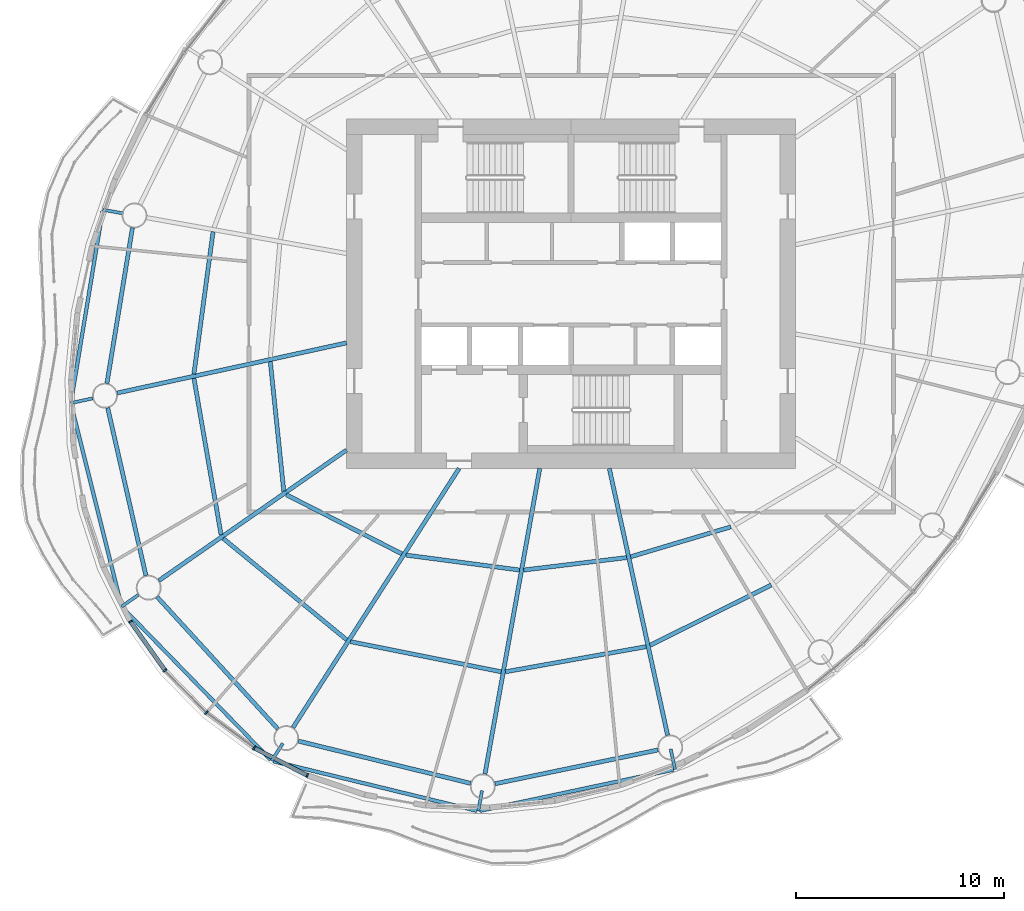
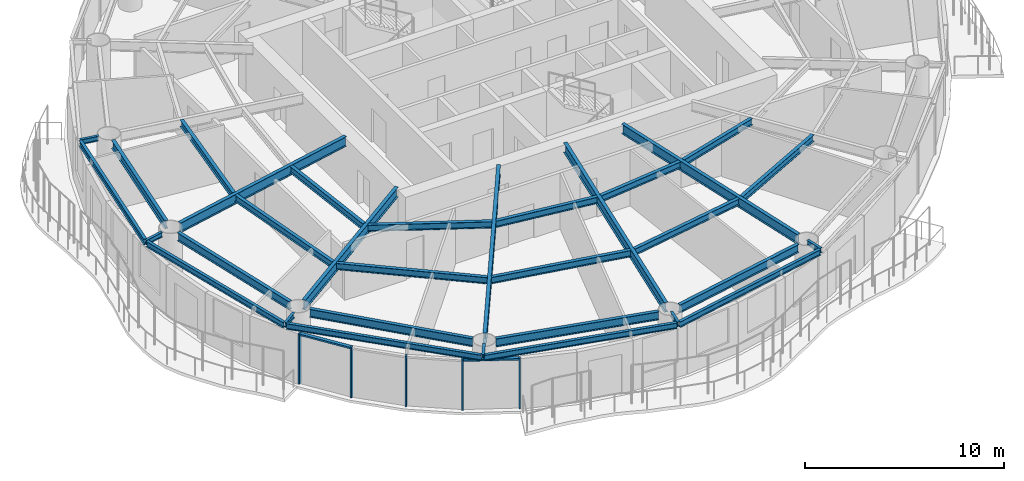
# One storey, part 2 of 14: 32 beams, 7 members, 4 elements without a shape of their own.
"""IFC4 building model written with IfcOpenShell, lengths in metres."""

from ifc_helpers import new_model, si_unit, direction, frame, origin, origin_2d, place, context, subcontext, project, spatial, rectangle, i_section, extrude, material, material_profile, profile_set, type_object, element, aggregate, save


model = new_model("IFC4")

# Units and contexts
model_context = context("Model", 3, precision=1e-05, world=origin(), true_north=direction((0.0, 1.0)))
body_context = subcontext(model_context, "Body", "Model", "MODEL_VIEW")
ifc_project = project(units=[si_unit("LENGTHUNIT", "METRE"), si_unit("AREAUNIT", "SQUARE_METRE"), si_unit("VOLUMEUNIT", "CUBIC_METRE"), si_unit("PLANEANGLEUNIT", "RADIAN"), si_unit("MASSUNIT", "GRAM", prefix="KILO")], contexts=[model_context])

# Site, building, storey
site_placement = place(None, origin())
site = spatial("IfcSite", under=ifc_project, at=site_placement, CompositionType="ELEMENT")
building_placement = place(site_placement, origin())
building = spatial("IfcBuilding", under=site, at=building_placement, Name="Vermilion Reach Broadcast Tower", CompositionType="ELEMENT")
storey_placement = place(building_placement, frame((0.0, 0.0, 228.10009765625)))
storey = spatial("IfcBuildingStorey", under=building, at=storey_placement, Name="L56", CompositionType="ELEMENT", Elevation=228.10009765625)

# Beams
ifc_material_1 = material(Name="Steel S355J2", Category="steel")
ifc_material_profile_1 = material_profile(ifc_material_1, i_section(OverallWidth=0.175048828125, OverallDepth=0.35009765625, WebThickness=0.007080078125, FlangeThickness=0.010986328125, at=origin_2d()), Name="S355J2 HN 350x175x7x11")
ifc_profile_set_1 = profile_set([ifc_material_profile_1], Name="Steel S355J2")
beam_type_1 = type_object("IfcBeamType", Name="EB4 HN 350x175x7x11", PredefinedType="BEAM", material=ifc_profile_set_1)
beam_1_placement = place(storey_placement, frame((-28.536376953125, 3.966552734375, 3.27490234375), z_axis=(-0.163365532595, -0.986565609962, 0.0), x_axis=(0.986565609962, -0.163365532595, 0.0)))
element("IfcBeam", 1, at=beam_1_placement, inside=storey, type_object=beam_type_1, Name="Edge beam EB4-06", PredefinedType="BEAM", context=body_context, shape_type="SweptSolid", body=[
    extrude(i_section(OverallWidth=0.175048828125, OverallDepth=0.35009765625, WebThickness=0.007080078125, FlangeThickness=0.010986328125, at=origin_2d()), origin(), (0.0, 0.0, 1.0), 9.271484375),
])
beam_2_placement = place(storey_placement, frame((-30.0458984375, -5.332763671875, 3.27490234375), z_axis=(0.24218848955, -0.970229218035, 0.0), x_axis=(0.970229218035, 0.24218848955, 0.0)))
element("IfcBeam", 2, at=beam_2_placement, inside=storey, type_object=beam_type_1, Name="Edge beam EB4-07", PredefinedType="BEAM", context=body_context, shape_type="SweptSolid", body=[
    extrude(i_section(OverallWidth=0.175048828125, OverallDepth=0.35009765625, WebThickness=0.007080078125, FlangeThickness=0.010986328125, at=origin_2d()), origin(), (0.0, 0.0, 1.0), 9.929443359375),
])
beam_3_placement = place(storey_placement, frame((-27.56884765625, -15.098876953125, 3.27490234375), z_axis=(0.697210688618, -0.716866274613, 0.0), x_axis=(0.716866274613, 0.697210688618, 0.0)))
element("IfcBeam", 3, at=beam_3_placement, inside=storey, type_object=beam_type_1, Name="Edge beam EB4-08", PredefinedType="BEAM", context=body_context, shape_type="SweptSolid", body=[
    extrude(i_section(OverallWidth=0.175048828125, OverallDepth=0.35009765625, WebThickness=0.007080078125, FlangeThickness=0.010986328125, at=origin_2d()), origin(), (0.0, 0.0, 1.0), 10.197509765625),
])
beam_4_placement = place(storey_placement, frame((-20.328125, -22.483154296875, 3.27490234375), z_axis=(0.971630147479, -0.236505510527, 0.0), x_axis=(0.236505510527, 0.971630147479, 0.0)))
element("IfcBeam", 4, at=beam_4_placement, inside=storey, type_object=beam_type_1, Name="Edge beam EB4-09", PredefinedType="BEAM", context=body_context, shape_type="SweptSolid", body=[
    extrude(i_section(OverallWidth=0.175048828125, OverallDepth=0.35009765625, WebThickness=0.007080078125, FlangeThickness=0.010986328125, at=origin_2d()), origin(), (0.0, 0.0, 1.0), 10.0771484375),
])
beam_5_placement = place(storey_placement, frame((-10.384765625, -24.867431640625, 3.27490234375), z_axis=(0.978155330869, 0.207875320066, 0.0), x_axis=(-0.207875320066, 0.978155330869, 0.0)))
element("IfcBeam", 5, at=beam_5_placement, inside=storey, type_object=beam_type_1, Name="Edge beam EB4-10", PredefinedType="BEAM", context=body_context, shape_type="SweptSolid", body=[
    extrude(i_section(OverallWidth=0.175048828125, OverallDepth=0.35009765625, WebThickness=0.007080078125, FlangeThickness=0.010986328125, at=origin_2d()), origin(), (0.0, 0.0, 1.0), 9.51904296875),
])
ifc_material_2 = material(Name="Steel S355J2", Category="steel")
ifc_material_profile_2 = material_profile(ifc_material_2, i_section(OverallWidth=0.199951171875, OverallDepth=0.60009765625, WebThickness=0.010986328125, FlangeThickness=0.01708984375, at=origin_2d()), Name="S355J2 HN 600x200x11x17")
ifc_profile_set_2 = profile_set([ifc_material_profile_2], Name="Steel S355J2")
beam_type_2 = type_object("IfcBeamType", Name="G4 HN 600x200x11x17", PredefinedType="BEAM", material=ifc_profile_set_2)
beam_6_placement = place(storey_placement, frame((-16.800048828125, -2.360595703125, 3.14990234375), z_axis=(-0.976930175286, -0.213558967537, 0.0), x_axis=(0.213558967537, -0.976930175286, 0.0)))
element("IfcBeam", 6, at=beam_6_placement, inside=storey, type_object=beam_type_2, Name="Girder G4-07", PredefinedType="BEAM", context=body_context, shape_type="SweptSolid", body=[
    extrude(i_section(OverallWidth=0.199951171875, OverallDepth=0.60009765625, WebThickness=0.010986328125, FlangeThickness=0.01708984375, at=origin_2d()), origin(), (0.0, 0.0, 1.0), 11.29833984375),
])
beam_7_placement = place(storey_placement, frame((-16.800048828125, -7.5146484375, 3.14990234375), z_axis=(-0.820848627818, -0.571145804684, 0.0), x_axis=(0.571145804684, -0.820848627818, 0.0)))
element("IfcBeam", 7, at=beam_7_placement, inside=storey, type_object=beam_type_2, Name="Girder G4-08", PredefinedType="BEAM", context=body_context, shape_type="SweptSolid", body=[
    extrude(i_section(OverallWidth=0.199951171875, OverallDepth=0.60009765625, WebThickness=0.010986328125, FlangeThickness=0.01708984375, at=origin_2d()), origin(), (0.0, 0.0, 1.0), 10.99560546875),
])
beam_8_placement = place(storey_placement, frame((-11.386474609375, -8.39990234375, 3.14990234375), z_axis=(-0.539796447586, -0.84179557802, 0.0), x_axis=(0.84179557802, -0.539796447586, 0.0)))
element("IfcBeam", 8, at=beam_8_placement, inside=storey, type_object=beam_type_2, Name="Girder G4-09", PredefinedType="BEAM", context=body_context, shape_type="SweptSolid", body=[
    extrude(i_section(OverallWidth=0.199951171875, OverallDepth=0.60009765625, WebThickness=0.010986328125, FlangeThickness=0.01708984375, at=origin_2d()), origin(), (0.0, 0.0, 1.0), 14.8076171875),
])
beam_9_placement = place(storey_placement, frame((-7.5068359375, -8.39990234375, 3.14990234375), z_axis=(-0.176574729047, -0.984287237072, 0.0), x_axis=(0.984287237072, -0.176574729047, 0.0)))
element("IfcBeam", 9, at=beam_9_placement, inside=storey, type_object=beam_type_2, Name="Girder G4-10", PredefinedType="BEAM", context=body_context, shape_type="SweptSolid", body=[
    extrude(i_section(OverallWidth=0.199951171875, OverallDepth=0.60009765625, WebThickness=0.010986328125, FlangeThickness=0.01708984375, at=origin_2d()), origin(), (0.0, 0.0, 1.0), 14.935302734375),
])
beam_10_placement = place(storey_placement, frame((-4.163818359375, -8.39990234375, 3.14990234375), z_axis=(0.213538346548, -0.976934682849, 0.0), x_axis=(0.976934682849, 0.213538346548, 0.0)))
element("IfcBeam", 10, at=beam_10_placement, inside=storey, type_object=beam_type_2, Name="Girder G4-11", PredefinedType="BEAM", context=body_context, shape_type="SweptSolid", body=[
    extrude(i_section(OverallWidth=0.199951171875, OverallDepth=0.60009765625, WebThickness=0.010986328125, FlangeThickness=0.01708984375, at=origin_2d()), origin(), (0.0, 0.0, 1.0), 13.135498046875),
])
ifc_material_3 = material(Name="Steel S355J2", Category="steel")
ifc_material_profile_3 = material_profile(ifc_material_3, i_section(OverallWidth=0.14990234375, OverallDepth=0.300048828125, WebThickness=0.006591796875, FlangeThickness=0.009033203125, at=origin_2d()), Name="S355J2 HN 300x150x6.5x9")
ifc_profile_set_3 = profile_set([ifc_material_profile_3], Name="Steel S355J2")
beam_type_3 = type_object("IfcBeamType", Name="GS4 HN 300x150x6.5x9", PredefinedType="BEAM", material=ifc_profile_set_3)
beam_11_placement = place(storey_placement, frame((-27.5400390625, 3.864013671875, 3.2998046875), z_axis=(-0.984292973606, 0.176542748677, 0.0), x_axis=(-0.176542748677, -0.984292973606, 0.0)))
element("IfcBeam", 11, at=beam_11_placement, inside=storey, type_object=beam_type_3, Name="Cantilever stub GS4-06", PredefinedType="BEAM", context=body_context, shape_type="SweptSolid", body=[
    extrude(i_section(OverallWidth=0.14990234375, OverallDepth=0.300048828125, WebThickness=0.006591796875, FlangeThickness=0.009033203125, at=origin_2d()), origin(), (0.0, 0.0, 1.0), 0.999755859375),
])
beam_12_placement = place(storey_placement, frame((-29.009765625, -5.029541015625, 3.2998046875), z_axis=(-0.976936893942, -0.213528230581, 0.0), x_axis=(0.213528230581, -0.976936893942, 0.0)))
element("IfcBeam", 12, at=beam_12_placement, inside=storey, type_object=beam_type_3, Name="Cantilever stub GS4-07", PredefinedType="BEAM", context=body_context, shape_type="SweptSolid", body=[
    extrude(i_section(OverallWidth=0.14990234375, OverallDepth=0.300048828125, WebThickness=0.006591796875, FlangeThickness=0.009033203125, at=origin_2d()), origin(), (0.0, 0.0, 1.0), 1.079345703125),
])
for number, where, z_axis, x_axis, name in (
    (13, (-26.801025390625, -14.47314453125, 3.2998046875), (-0.820765852073, -0.571264751294, 0.0), (0.571264751294, -0.820765852073, 0.0), "Cantilever stub GS4-08"),
    (14, (-19.865478515625, -21.62255859375, 3.2998046875), (-0.539794777091, -0.841796649213, 0.0), (0.841796649213, -0.539794777091, 0.0), "Cantilever stub GS4-09"),
    (15, (-10.287353515625, -23.89990234375, 3.2998046875), (-0.176500327456, -0.984300581331, 0.0), (0.984300581331, -0.176500327456, 0.0), "Cantilever stub GS4-10"),
):
    element("IfcBeam", number, at=place(storey_placement, frame(where, z_axis=z_axis, x_axis=x_axis)), inside=storey, type_object=beam_type_3, Name=name, PredefinedType="BEAM", context=body_context, shape_type="SweptSolid", body=[
        extrude(i_section(OverallWidth=0.14990234375, OverallDepth=0.300048828125, WebThickness=0.006591796875, FlangeThickness=0.009033203125, at=origin_2d()), origin(), (0.0, 0.0, 1.0), 1.0),
    ])
beam_13_placement = place(storey_placement, frame((-1.2138671875, -21.89599609375, 3.2998046875), z_axis=(0.213594957215, -0.976922307173, 0.0), x_axis=(0.976922307173, 0.213594957215, 0.0)))
element("IfcBeam", 16, at=beam_13_placement, inside=storey, type_object=beam_type_3, Name="Cantilever stub GS4-11", PredefinedType="BEAM", context=body_context, shape_type="SweptSolid", body=[
    extrude(i_section(OverallWidth=0.14990234375, OverallDepth=0.300048828125, WebThickness=0.006591796875, FlangeThickness=0.009033203125, at=origin_2d()), origin(), (0.0, 0.0, 1.0), 1.000244140625),
])
ifc_material_4 = material(Name="Steel S355J2", Category="steel")
ifc_material_profile_4 = material_profile(ifc_material_4, i_section(OverallWidth=0.199951171875, OverallDepth=0.5, WebThickness=0.010009765625, FlangeThickness=0.01611328125, at=origin_2d()), Name="S355J2 HN 500x200x10x16")
ifc_profile_set_4 = profile_set([ifc_material_profile_4], Name="Steel S355J2")
beam_type_4 = type_object("IfcBeamType", Name="RB4 HN 500x200x10x16", PredefinedType="BEAM", material=ifc_profile_set_4)
beam_14_placement = place(storey_placement, frame((-27.099609375, 3.175537109375, 3.199951171875), z_axis=(-0.161778110263, -0.986827159659, 0.0), x_axis=(0.986827159659, -0.161778110263, 0.0)))
element("IfcBeam", 17, at=beam_14_placement, inside=storey, type_object=beam_type_4, Name="Ring beam RB4-06", PredefinedType="BEAM", context=body_context, shape_type="SweptSolid", body=[
    extrude(i_section(OverallWidth=0.199951171875, OverallDepth=0.5, WebThickness=0.010009765625, FlangeThickness=0.01611328125, at=origin_2d()), origin(), (0.0, 0.0, 1.0), 7.584716796875),
])
beam_15_placement = place(storey_placement, frame((-28.290283203125, -5.486572265625, 3.199951171875), z_axis=(0.222283068275, -0.974982172944, 0.0), x_axis=(0.974982172944, 0.222283068275, 0.0)))
element("IfcBeam", 18, at=beam_15_placement, inside=storey, type_object=beam_type_4, Name="Ring beam RB4-07", PredefinedType="BEAM", context=body_context, shape_type="SweptSolid", body=[
    extrude(i_section(OverallWidth=0.199951171875, OverallDepth=0.5, WebThickness=0.010009765625, FlangeThickness=0.01611328125, at=origin_2d()), origin(), (0.0, 0.0, 1.0), 8.272705078125),
])
beam_16_placement = place(storey_placement, frame((-25.9130859375, -14.580078125, 3.199951171875), z_axis=(0.674868141417, -0.737938338684, 0.0), x_axis=(0.737938338684, 0.674868141417, 0.0)))
element("IfcBeam", 19, at=beam_16_placement, inside=storey, type_object=beam_type_4, Name="Ring beam RB4-08", PredefinedType="BEAM", context=body_context, shape_type="SweptSolid", body=[
    extrude(i_section(OverallWidth=0.199951171875, OverallDepth=0.5, WebThickness=0.010009765625, FlangeThickness=0.01611328125, at=origin_2d()), origin(), (0.0, 0.0, 1.0), 8.601318359375),
])
beam_17_placement = place(storey_placement, frame((-19.120849609375, -21.51318359375, 3.199951171875), z_axis=(0.971158622271, -0.238434331398, 0.0), x_axis=(0.238434331398, 0.971158622271, 0.0)))
element("IfcBeam", 20, at=beam_17_placement, inside=storey, type_object=beam_type_4, Name="Ring beam RB4-09", PredefinedType="BEAM", context=body_context, shape_type="SweptSolid", body=[
    extrude(i_section(OverallWidth=0.199951171875, OverallDepth=0.5, WebThickness=0.010009765625, FlangeThickness=0.01611328125, at=origin_2d()), origin(), (0.0, 0.0, 1.0), 8.534423828125),
])
beam_18_placement = place(storey_placement, frame((-9.662353515625, -23.569091796875, 3.199951171875), z_axis=(0.97912342484, 0.203266620302, 0.0), x_axis=(-0.203266620302, 0.97912342484, 0.0)))
element("IfcBeam", 21, at=beam_18_placement, inside=storey, type_object=beam_type_4, Name="Ring beam RB4-10", PredefinedType="BEAM", context=body_context, shape_type="SweptSolid", body=[
    extrude(i_section(OverallWidth=0.199951171875, OverallDepth=0.5, WebThickness=0.010009765625, FlangeThickness=0.01611328125, at=origin_2d()), origin(), (0.0, 0.0, 1.0), 8.01123046875),
])
ifc_material_5 = material(Name="Steel S355J2", Category="steel")
ifc_material_profile_5 = material_profile(ifc_material_5, i_section(OverallWidth=0.199951171875, OverallDepth=0.39990234375, WebThickness=0.008056640625, FlangeThickness=0.012939453125, at=origin_2d()), Name="S355J2 HN 400x200x8x13")
ifc_profile_set_5 = profile_set([ifc_material_profile_5], Name="Steel S355J2")
beam_type_5 = type_object("IfcBeamType", Name="SB4 HN 400x200x8x13", PredefinedType="BEAM", material=ifc_profile_set_5)
beam_19_placement = place(storey_placement, frame((-23.221435546875, 2.98779296875, 3.25), z_axis=(-0.133486718782, -0.991050602093, 0.0), x_axis=(0.991050602093, -0.133486718782, 0.0)))
element("IfcBeam", 22, at=beam_19_placement, inside=storey, type_object=beam_type_5, Name="Secondary beam SB4-06-2", PredefinedType="BEAM", context=body_context, shape_type="SweptSolid", body=[
    extrude(i_section(OverallWidth=0.199951171875, OverallDepth=0.39990234375, WebThickness=0.008056640625, FlangeThickness=0.012939453125, at=origin_2d()), origin(), (0.0, 0.0, 1.0), 6.913330078125),
])
beam_20_placement = place(storey_placement, frame((-20.46875, -3.264892578125, 3.25), z_axis=(0.103532173355, -0.994626105167, 0.0), x_axis=(0.994626105167, 0.103532173355, 0.0)))
element("IfcBeam", 23, at=beam_20_placement, inside=storey, type_object=beam_type_5, Name="Secondary beam SB4-07-1", PredefinedType="BEAM", context=body_context, shape_type="SweptSolid", body=[
    extrude(i_section(OverallWidth=0.199951171875, OverallDepth=0.39990234375, WebThickness=0.008056640625, FlangeThickness=0.012939453125, at=origin_2d()), origin(), (0.0, 0.0, 1.0), 6.26318359375),
])
beam_21_placement = place(storey_placement, frame((-24.141357421875, -4.067626953125, 3.25), z_axis=(0.170926997669, -0.985283695931, 0.0), x_axis=(0.985283695931, 0.170926997669, 0.0)))
element("IfcBeam", 24, at=beam_21_placement, inside=storey, type_object=beam_type_5, Name="Secondary beam SB4-07-2", PredefinedType="BEAM", context=body_context, shape_type="SweptSolid", body=[
    extrude(i_section(OverallWidth=0.199951171875, OverallDepth=0.39990234375, WebThickness=0.008056640625, FlangeThickness=0.012939453125, at=origin_2d()), origin(), (0.0, 0.0, 1.0), 7.63720703125),
])
beam_22_placement = place(storey_placement, frame((-19.707763671875, -9.659423828125, 3.25), z_axis=(0.89015575218, -0.455656380249, 0.0), x_axis=(0.455656380249, 0.89015575218, 0.0)))
element("IfcBeam", 25, at=beam_22_placement, inside=storey, type_object=beam_type_5, Name="Secondary beam SB4-08-1", PredefinedType="BEAM", context=body_context, shape_type="SweptSolid", body=[
    extrude(i_section(OverallWidth=0.199951171875, OverallDepth=0.39990234375, WebThickness=0.008056640625, FlangeThickness=0.012939453125, at=origin_2d()), origin(), (0.0, 0.0, 1.0), 6.25439453125),
])
beam_23_placement = place(storey_placement, frame((-22.73681640625, -11.76708984375, 3.25), z_axis=(0.772952000494, -0.6344645025, 0.0), x_axis=(0.6344645025, 0.772952000494, 0.0)))
element("IfcBeam", 26, at=beam_23_placement, inside=storey, type_object=beam_type_5, Name="Secondary beam SB4-08-2", PredefinedType="BEAM", context=body_context, shape_type="SweptSolid", body=[
    extrude(i_section(OverallWidth=0.199951171875, OverallDepth=0.39990234375, WebThickness=0.008056640625, FlangeThickness=0.012939453125, at=origin_2d()), origin(), (0.0, 0.0, 1.0), 7.689697265625),
])
beam_24_placement = place(storey_placement, frame((-13.94140625, -12.5693359375, 3.25), z_axis=(0.991458070019, -0.130425823341, 0.0), x_axis=(0.130425823341, 0.991458070019, 0.0)))
element("IfcBeam", 27, at=beam_24_placement, inside=storey, type_object=beam_type_5, Name="Secondary beam SB4-09-1", PredefinedType="BEAM", context=body_context, shape_type="SweptSolid", body=[
    extrude(i_section(OverallWidth=0.199951171875, OverallDepth=0.39990234375, WebThickness=0.008056640625, FlangeThickness=0.012939453125, at=origin_2d()), origin(), (0.0, 0.0, 1.0), 5.50341796875),
])
beam_25_placement = place(storey_placement, frame((-16.60986328125, -16.73095703125, 3.25), z_axis=(0.9805717807, -0.196160604851, 0.0), x_axis=(0.196160604851, 0.9805717807, 0.0)))
element("IfcBeam", 28, at=beam_25_placement, inside=storey, type_object=beam_type_5, Name="Secondary beam SB4-09-2", PredefinedType="BEAM", context=body_context, shape_type="SweptSolid", body=[
    extrude(i_section(OverallWidth=0.199951171875, OverallDepth=0.39990234375, WebThickness=0.008056640625, FlangeThickness=0.012939453125, at=origin_2d()), origin(), (0.0, 0.0, 1.0), 7.390380859375),
])
beam_26_placement = place(storey_placement, frame((-8.281982421875, -13.28759765625, 3.25), z_axis=(0.99278788328, 0.119884189168, 0.0), x_axis=(-0.119884189168, 0.99278788328, 0.0)))
element("IfcBeam", 29, at=beam_26_placement, inside=storey, type_object=beam_type_5, Name="Secondary beam SB4-10-1", PredefinedType="BEAM", context=body_context, shape_type="SweptSolid", body=[
    extrude(i_section(OverallWidth=0.199951171875, OverallDepth=0.39990234375, WebThickness=0.008056640625, FlangeThickness=0.012939453125, at=origin_2d()), origin(), (0.0, 0.0, 1.0), 4.9892578125),
])
beam_27_placement = place(storey_placement, frame((-9.159912109375, -18.181640625, 3.25), z_axis=(0.984415281892, 0.175859468829, 0.0), x_axis=(-0.175859468829, 0.984415281892, 0.0)))
element("IfcBeam", 30, at=beam_27_placement, inside=storey, type_object=beam_type_5, Name="Secondary beam SB4-10-2", PredefinedType="BEAM", context=body_context, shape_type="SweptSolid", body=[
    extrude(i_section(OverallWidth=0.199951171875, OverallDepth=0.39990234375, WebThickness=0.008056640625, FlangeThickness=0.012939453125, at=origin_2d()), origin(), (0.0, 0.0, 1.0), 6.874755859375),
])
beam_28_placement = place(storey_placement, frame((-3.1328125, -12.64892578125, 3.25), z_axis=(0.958173460215, 0.28618808525, 0.0), x_axis=(-0.28618808525, 0.958173460215, 0.0)))
element("IfcBeam", 31, at=beam_28_placement, inside=storey, type_object=beam_type_5, Name="Secondary beam SB4-11-1", PredefinedType="BEAM", context=body_context, shape_type="SweptSolid", body=[
    extrude(i_section(OverallWidth=0.199951171875, OverallDepth=0.39990234375, WebThickness=0.008056640625, FlangeThickness=0.012939453125, at=origin_2d()), origin(), (0.0, 0.0, 1.0), 5.02197265625),
])
beam_29_placement = place(storey_placement, frame((-2.20166015625, -16.908935546875, 3.25), z_axis=(0.895183615542, 0.445697536974, 0.0), x_axis=(-0.445697536974, 0.895183615542, 0.0)))
element("IfcBeam", 32, at=beam_29_placement, inside=storey, type_object=beam_type_5, Name="Secondary beam SB4-11-2", PredefinedType="BEAM", context=body_context, shape_type="SweptSolid", body=[
    extrude(i_section(OverallWidth=0.199951171875, OverallDepth=0.39990234375, WebThickness=0.008056640625, FlangeThickness=0.012939453125, at=origin_2d()), origin(), (0.0, 0.0, 1.0), 6.508544921875),
])

# Curtain wall, member
ifc_material_6 = material(Name="Low-e laminated clear glass in aluminium frame", Category="aluminium")
curtain_wall_type = type_object("IfcCurtainWallType", Name="Slot curtain wall", PredefinedType="NOTDEFINED", material=ifc_material_6)
placement = place(storey_placement, origin())
curtain_wall_1 = element("IfcCurtainWall", 33, at=placement, inside=storey, type_object=curtain_wall_type, Name="Slot curtain wall L56 22", PredefinedType="NOTDEFINED")
ifc_material_7 = material(Name="Anodised aluminium", Category="aluminium")
ifc_material_profile_6 = material_profile(ifc_material_7, rectangle(XDim=0.199951171875, YDim=0.080078125, at=origin_2d()), Name="Slot mullion 80 x 200")
ifc_profile_set_6 = profile_set([ifc_material_profile_6], Name="Anodised aluminium")
member_type_1 = type_object("IfcMemberType", Name="Slot mullion 80 x 200", PredefinedType="MULLION", material=ifc_profile_set_6)
member_1_placement = place(storey_placement, frame((-27.195556640625, -15.7646484375, 0.0), z_axis=(0.0, 0.0, 1.0), x_axis=(0.85818554969, 0.513339616924, 0.0)))
member_1 = element("IfcMember", 34, at=member_1_placement, type_object=member_type_1, Name="Slot mullion L56 22", PredefinedType="MULLION", context=body_context, shape_type="SweptSolid", body=[
    extrude(rectangle(XDim=0.199951171875, YDim=0.080078125, at=origin_2d()), origin(), (0.0, 0.0, 1.0), 3.099853515625),
])

curtain_wall_2 = element("IfcCurtainWall", 35, at=placement, inside=storey, type_object=curtain_wall_type, Name="Slot curtain wall L56 23", PredefinedType="NOTDEFINED")
member_2_placement = place(storey_placement, frame((-25.533203125, -18.11083984375, 0.0), z_axis=(0.0, 0.0, 1.0), x_axis=(0.767712269855, 0.640794718075, 0.0)))
member_2 = element("IfcMember", 36, at=member_2_placement, type_object=member_type_1, Name="Slot mullion L56 23", PredefinedType="MULLION", context=body_context, shape_type="SweptSolid", body=[
    extrude(rectangle(XDim=0.199951171875, YDim=0.080078125, at=origin_2d()), origin(), (0.0, 0.0, 1.0), 3.099853515625),
])
aggregate(curtain_wall_2, [member_2])

curtain_wall_3 = element("IfcCurtainWall", 37, at=placement, inside=storey, type_object=curtain_wall_type, Name="Slot curtain wall L56 24", PredefinedType="NOTDEFINED")
member_3_placement = place(storey_placement, frame((-23.539306640625, -20.148193359375, 0.0), z_axis=(0.0, 0.0, 1.0), x_axis=(0.656585722448, 0.754251409729, 0.0)))
member_3 = element("IfcMember", 38, at=member_3_placement, type_object=member_type_1, Name="Slot mullion L56 24", PredefinedType="MULLION", context=body_context, shape_type="SweptSolid", body=[
    extrude(rectangle(XDim=0.199951171875, YDim=0.080078125, at=origin_2d()), origin(), (0.0, 0.0, 1.0), 3.099853515625),
])
aggregate(curtain_wall_3, [member_3])

# Curtain wall, members
curtain_wall_4 = element("IfcCurtainWall", 39, at=placement, inside=storey, type_object=curtain_wall_type, Name="Slot curtain wall L56 25", PredefinedType="NOTDEFINED")
member_4_placement = place(storey_placement, frame((-21.24658203125, -21.842529296875, 0.0), z_axis=(0.0, 0.0, 1.0), x_axis=(0.528899178266, 0.848684664189, 0.0)))
member_4 = element("IfcMember", 40, at=member_4_placement, type_object=member_type_1, Name="Slot mullion L56 25", PredefinedType="MULLION", context=body_context, shape_type="SweptSolid", body=[
    extrude(rectangle(XDim=0.199951171875, YDim=0.080078125, at=origin_2d()), origin(), (0.0, 0.0, 1.0), 3.099853515625),
])
member_5_placement = place(storey_placement, frame((-18.69384765625, -23.16552734375, 0.0), z_axis=(0.0, 0.0, 1.0), x_axis=(0.390193517447, 0.920732870567, 0.0)))
member_5 = element("IfcMember", 41, at=member_5_placement, type_object=member_type_1, Name="Slot mullion L56 26", PredefinedType="MULLION", context=body_context, shape_type="SweptSolid", body=[
    extrude(rectangle(XDim=0.199951171875, YDim=0.080078125, at=origin_2d()), origin(), (0.0, 0.0, 1.0), 3.099853515625),
])

# Member
ifc_material_8 = material(Name="Anodised aluminium", Category="aluminium")
ifc_material_profile_7 = material_profile(ifc_material_8, rectangle(XDim=0.199951171875, YDim=0.10009765625, at=origin_2d()), Name="Slot transom 200 x 100")
ifc_profile_set_7 = profile_set([ifc_material_profile_7], Name="Anodised aluminium")
member_type_2 = type_object("IfcMemberType", Name="Slot transom 200 x 100", PredefinedType="USERDEFINED", material=ifc_profile_set_7)
member_6_placement = place(storey_placement, frame((-27.17236328125, -15.79736328125, 3.0498046875), z_axis=(0.57807791917, -0.815981568032, 0.0), x_axis=(0.815981568032, 0.57807791917, 0.0)))
member_6 = element("IfcMember", 42, at=member_6_placement, type_object=member_type_2, Name="Slot transom L56 22.1", ObjectType="TRANSOM", PredefinedType="USERDEFINED", context=body_context, shape_type="SweptSolid", body=[
    extrude(rectangle(XDim=0.199951171875, YDim=0.10009765625, at=origin_2d()), origin(), (0.0, 0.0, 1.0), 2.79541015625),
])

aggregate(curtain_wall_1, [member_1, member_6])

member_7_placement = place(storey_placement, frame((-21.211181640625, -21.86083984375, 3.0498046875), z_axis=(0.887835148147, -0.460161656068, 0.0), x_axis=(0.460161656068, 0.887835148147, 0.0)))
member_7 = element("IfcMember", 43, at=member_7_placement, type_object=member_type_2, Name="Slot transom L56 25.1", ObjectType="TRANSOM", PredefinedType="USERDEFINED", context=body_context, shape_type="SweptSolid", body=[
    extrude(rectangle(XDim=0.199951171875, YDim=0.10009765625, at=origin_2d()), origin(), (0.0, 0.0, 1.0), 2.79541015625),
])

aggregate(curtain_wall_4, [member_4, member_5, member_7])

save(model, "model.ifc")
